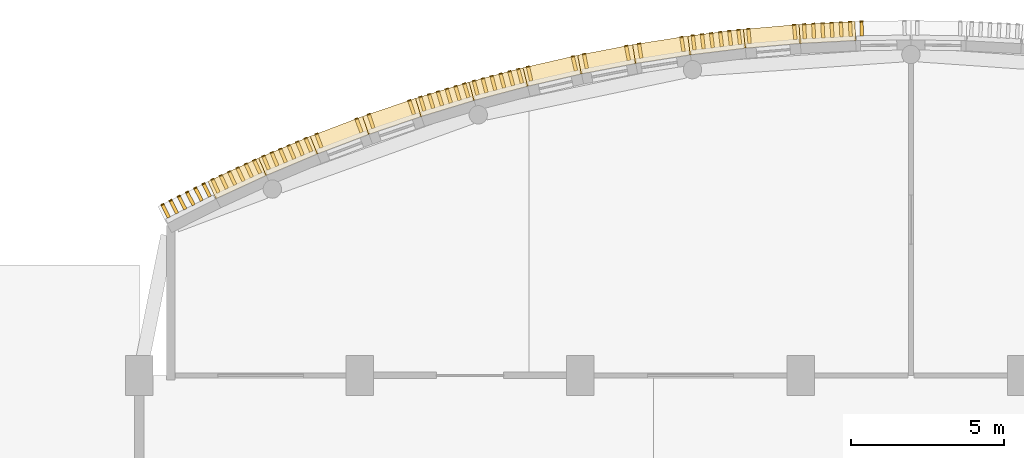
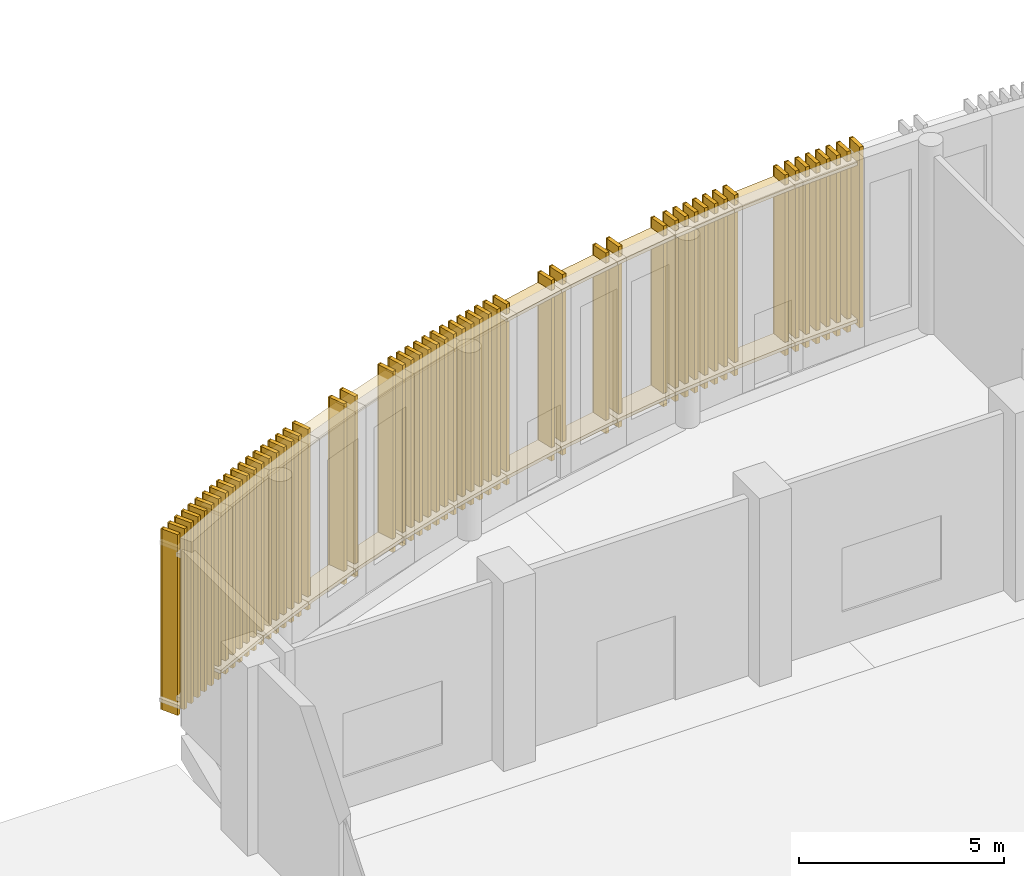
# One storey, part 76 of 85: 79 coverings, 55 shading devices.
"""IFC4 building model written with IfcOpenShell, lengths in metres."""

import ifcopenshell
import ifcopenshell.guid

model = None  # the IFC model being written
_history = None  # IfcOwnerHistory: only IFC2X3 demands one
_inside = {}  # id of a spatial element -> (the spatial element, [elements in it])
_under = {}  # id of a project, library or spatial element -> (it, [spatial elements below it])
_declared = {}  # id of a project -> (the project, [libraries it declares])
_typed = {}  # id of a type object -> (the type object, [elements of that type])
_made_of = {}  # id of a material, layer set ... -> (it, [elements and type objects made of it])


def new_model(schema):
    """Start an empty IFC model of exactly this schema.

    Asked for "IFC4X3", IfcOpenShell would pick the latest addendum, in which some entities
    have other attributes; the version numbers below select the first issue.
    IFC2X3 requires an IfcOwnerHistory on every rooted entity: one is made here for all.
    """
    global model, _history
    if schema == "IFC4X3":
        model = ifcopenshell.file(schema_version=(4, 3, 0, 0))
    else:
        model = ifcopenshell.file(schema=schema)
    _inside.clear()
    _under.clear()
    _declared.clear()
    _typed.clear()
    _made_of.clear()
    _history = None
    if model.schema == "IFC2X3":
        org = make("IfcOrganization", Name="unknown")
        user = make(
            "IfcPersonAndOrganization",
            ThePerson=make("IfcPerson", FamilyName="unknown"),
            TheOrganization=org,
        )
        app = make(
            "IfcApplication",
            ApplicationDeveloper=org,
            Version="unknown",
            ApplicationFullName="unknown",
            ApplicationIdentifier="unknown",
        )
        _history = make(
            "IfcOwnerHistory",
            OwningUser=user,
            OwningApplication=app,
            ChangeAction="ADDED",
            CreationDate=0,
        )
    return model


def make(cls, **values):
    """One entity of the class cls with the attributes given. An attribute that is None is left unset."""
    return model.create_entity(
        cls, **{name: value for name, value in values.items() if value is not None}
    )


def rooted(cls, **values):
    """An entity with a GlobalId (a new one), such as an element, a storey or a relation."""
    return make(cls, GlobalId=ifcopenshell.guid.new(), OwnerHistory=_history, **values)


def si_unit(unit_type, name, prefix=None):
    """IfcSIUnit, for example si_unit("LENGTHUNIT", "METRE", prefix="MILLI")."""
    return make("IfcSIUnit", UnitType=unit_type, Prefix=prefix, Name=name)


def assignment(units):
    """IfcUnitAssignment: the units of a project."""
    return None if units is None else make("IfcUnitAssignment", Units=units)


def point(xyz):
    """IfcCartesianPoint."""
    return None if xyz is None else make("IfcCartesianPoint", Coordinates=xyz)


def direction(xyz):
    """IfcDirection."""
    return None if xyz is None else make("IfcDirection", DirectionRatios=xyz)


def frame(location, z_axis=None, x_axis=None):
    """IfcAxis2Placement3D, a coordinate frame: its origin and axes. An axis left out is left unset."""
    return make(
        "IfcAxis2Placement3D",
        Location=point(location),
        Axis=direction(z_axis),
        RefDirection=direction(x_axis),
    )


def frame_2d(location, x_axis=None):
    """IfcAxis2Placement2D, a coordinate frame in the plane: its origin and x axis."""
    return make(
        "IfcAxis2Placement2D", Location=point(location), RefDirection=direction(x_axis)
    )


def origin():
    """The frame at (0, 0, 0) with its axes left unset."""
    return frame((0.0, 0.0, 0.0))


def origin_2d():
    """The frame at (0, 0) in the plane with its x axis left unset."""
    return frame_2d((0.0, 0.0))


def place(relative_to, where):
    """IfcLocalPlacement: puts the frame where relative to a parent placement (None: the world)."""
    return make(
        "IfcLocalPlacement", PlacementRelTo=relative_to, RelativePlacement=where
    )


def context(
    kind, dimensions, precision=None, world=None, true_north=None, identifier=None
):
    """IfcGeometricRepresentationContext, for example the 3D "Model" context."""
    return make(
        "IfcGeometricRepresentationContext",
        ContextIdentifier=identifier,
        ContextType=kind,
        CoordinateSpaceDimension=dimensions,
        Precision=precision,
        WorldCoordinateSystem=world,
        TrueNorth=true_north,
    )


def subcontext(parent, identifier, kind, view, scale=None):
    """IfcGeometricRepresentationSubContext, for example "Body" below "Model"."""
    return make(
        "IfcGeometricRepresentationSubContext",
        ContextIdentifier=identifier,
        ContextType=kind,
        ParentContext=parent,
        TargetScale=scale,
        TargetView=view,
    )


def project(units=None, contexts=None):
    """IfcProject with its units and contexts."""
    return rooted(
        "IfcProject",
        Name="project",
        RepresentationContexts=contexts,
        UnitsInContext=assignment(units),
    )


def spatial(cls, under=None, at=None, **own):
    """A site, building, storey or space (cls), placed at a placement, below another one or the project."""
    s = rooted(cls, ObjectPlacement=at, **own)
    if under is not None:
        _under.setdefault(under.id(), (under, []))[1].append(s)
    return s


def profile(cls, at=None, kind="AREA", **sizes):
    """A parametric profile (cls). Its sizes go by their IFC names, for example OverallWidth=200.0."""
    return make(cls, ProfileType=kind, Position=at, **sizes)


def rectangle(**sizes):
    """IfcRectangleProfileDef."""
    return profile("IfcRectangleProfileDef", **sizes)


def extrude(swept, where, along, depth):
    """IfcExtrudedAreaSolid: the profile swept, set in the frame where, extruded along a direction by depth."""
    return make(
        "IfcExtrudedAreaSolid",
        SweptArea=swept,
        Position=where,
        ExtrudedDirection=direction(along),
        Depth=depth,
    )


def shape(context_of_items, identifier, shape_type, items):
    """IfcShapeRepresentation: the items that make up one representation, for example the "Body"."""
    return make(
        "IfcShapeRepresentation",
        ContextOfItems=context_of_items,
        RepresentationIdentifier=identifier,
        RepresentationType=shape_type,
        Items=items,
    )


def material(Name=None, Category=None):
    """IfcMaterial."""
    return make("IfcMaterial", Name=Name, Category=Category)


def layer(
    of_material, thickness, ventilated=None, Name=None, Category=None, Priority=None
):
    """IfcMaterialLayer: one layer of a wall or slab, of a material (None: an air gap)."""
    return make(
        "IfcMaterialLayer",
        Material=of_material,
        LayerThickness=thickness,
        IsVentilated=ventilated,
        Name=Name,
        Category=Category,
        Priority=Priority,
    )


def layer_set(layers, Name=None):
    """IfcMaterialLayerSet."""
    return make("IfcMaterialLayerSet", MaterialLayers=layers, LayerSetName=Name)


def made_of(thing, what):
    """Note that an element or type object is made of a material, layer set ...; save() writes the relation."""
    if what is not None:
        _made_of.setdefault(what.id(), (what, []))[1].append(thing)
    return thing


def type_object(cls, material=None, **own):
    """A type object (cls), such as IfcWallType, which elements share."""
    return made_of(rooted(cls, **own), material)


def element(
    cls,
    number,
    at=None,
    inside=None,
    cuts=None,
    type_object=None,
    material=None,
    context=None,
    identifier="Body",
    shape_type=None,
    held_by="IfcProductDefinitionShape",
    body=None,
    shapes=None,
    **own,
):
    """One element of the class cls, such as IfcWall. Its Tag is "e" and its number.

    at: its placement. inside: the storey or other place that contains it. cuts: it is an
    opening in that element (IfcRelVoidsElement). A single representation is given by context,
    identifier, shape_type and body (its items); several are given by shapes. held_by: the class
    of the entity that holds the representations. save() writes the other relations.
    """
    e = rooted(cls, Tag="e%d" % number, ObjectPlacement=at, **own)
    if body is not None:
        shapes = [shape(context, identifier, shape_type, body)]
    if shapes is not None:
        e.Representation = make(held_by, Representations=shapes)
    if inside is not None:
        _inside.setdefault(inside.id(), (inside, []))[1].append(e)
    if cuts is not None:
        rooted(
            "IfcRelVoidsElement", RelatingBuildingElement=cuts, RelatedOpeningElement=e
        )
    if type_object is not None:
        _typed.setdefault(type_object.id(), (type_object, []))[1].append(e)
    return made_of(e, material)


def aggregate(whole, parts):
    """IfcRelAggregates: a whole, such as a stair, and the parts it consists of."""
    return rooted("IfcRelAggregates", RelatingObject=whole, RelatedObjects=parts)


def save(model, path):
    """Write the relations noted so far, then the file.

    IfcRelAggregates (storeys below a building ...), IfcRelContainedInSpatialStructure (elements
    in a storey), IfcRelDefinesByType, IfcRelAssociatesMaterial and IfcRelDeclares: one each for
    every whole, place, type object, material and project.
    """
    for whole, parts in _under.values():
        aggregate(whole, parts)
    for where, things in _inside.values():
        rooted(
            "IfcRelContainedInSpatialStructure",
            RelatedElements=things,
            RelatingStructure=where,
        )
    for kind, things in _typed.values():
        rooted("IfcRelDefinesByType", RelatedObjects=things, RelatingType=kind)
    for what, things in _made_of.values():
        rooted("IfcRelAssociatesMaterial", RelatedObjects=things, RelatingMaterial=what)
    for by, libraries in _declared.values():
        rooted("IfcRelDeclares", RelatingContext=by, RelatedDefinitions=libraries)
    model.write(path)


model = new_model("IFC4")

# Units and contexts
model_context = context("Model", 3, precision=1e-05, world=origin(), true_north=direction((0.0, 1.0)))
body_context = subcontext(model_context, "Body", "Model", "MODEL_VIEW")
ifc_project = project(units=[si_unit("LENGTHUNIT", "METRE"), si_unit("AREAUNIT", "SQUARE_METRE"), si_unit("VOLUMEUNIT", "CUBIC_METRE"), si_unit("PLANEANGLEUNIT", "RADIAN"), si_unit("MASSUNIT", "GRAM", prefix="KILO")], contexts=[model_context])

# Site, building, storey
site_placement = place(None, origin())
site = spatial("IfcSite", under=ifc_project, at=site_placement, CompositionType="ELEMENT")
building_placement = place(site_placement, origin())
building = spatial("IfcBuilding", under=site, at=building_placement, Name="Sardonyx Promenade Sports Hall", CompositionType="ELEMENT")
storey_placement = place(building_placement, origin())
storey = spatial("IfcBuildingStorey", under=building, at=storey_placement, Name="L00", CompositionType="ELEMENT", Elevation=0.0)

# Coverings
ifc_material_1 = material(Name="Glulam GL28h", Category="wood")
ifc_layer = layer(ifc_material_1, 0.110107421875)
ifc_layer_set = layer_set([ifc_layer], Name="Cov_Louvre_GL28h")
covering_type = type_object("IfcCoveringType", Name="Cov_Louvre_GL28h", PredefinedType="MOLDING", material=ifc_layer_set)
for number, where, z_axis, x_axis, name in (
    (1, (29.5517578125, 109.984619140625, 0.199951171875), (0.0, 0.0, 1.0), (0.892773817004, 0.450505173857, 0.0), "Timber louvre nose molding L00 CH01 #1"),
    (2, (29.819580078125, 110.119873046875, 0.199951171875), (0.0, 0.0, 1.0), (0.892773817004, 0.450505173857, 0.0), "Timber louvre nose molding L00 CH01 #2"),
    (3, (30.08740234375, 110.2548828125, 0.199951171875), (0.0, 0.0, 1.0), (0.892773817004, 0.450505173857, 0.0), "Timber louvre nose molding L00 CH01 #3"),
    (4, (30.355224609375, 110.39013671875, 0.199951171875), (0.0, 0.0, 1.0), (0.892773817004, 0.450505173857, 0.0), "Timber louvre nose molding L00 CH01 #4"),
    (5, (30.623046875, 110.525390625, 0.199951171875), (0.0, 0.0, 1.0), (0.892773817004, 0.450505173857, 0.0), "Timber louvre nose molding L00 CH01 #5"),
    (6, (30.890869140625, 110.660400390625, 0.199951171875), (0.0, 0.0, 1.0), (0.892773817004, 0.450505173857, 0.0), "Timber louvre nose molding L00 CH01 #6"),
):
    element("IfcCovering", number, at=place(storey_placement, frame(where, z_axis=z_axis, x_axis=x_axis)), inside=storey, type_object=covering_type, Name=name, PredefinedType="MOLDING", context=body_context, shape_type="SweptSolid", body=[
        extrude(rectangle(XDim=0.110107421875, YDim=0.0400390625, at=origin_2d()), origin(), (0.0, 0.0, 1.0), 5.3798828125),
    ])
for number, where, z_axis, x_axis, name in (
    (7, (31.99658203125, 110.8359375, 0.5), (0.0, 0.0, 1.0), (0.90783091315, 0.419336419989, 0.0), "Bowed louvre carrier rail L00 CH02 #1"),
    (8, (31.99658203125, 110.8359375, 5.179931640625), (0.0, 0.0, 1.0), (0.90783091315, 0.419336419989, 0.0), "Bowed louvre carrier rail L00 CH02 #2"),
):
    element("IfcCovering", number, at=place(storey_placement, frame(where, z_axis=z_axis, x_axis=x_axis)), inside=storey, type_object=covering_type, Name=name, PredefinedType="MOLDING", context=body_context, shape_type="SweptSolid", body=[
        extrude(rectangle(XDim=1.820068359375, YDim=0.6201171875, at=origin_2d()), origin(), (0.0, 0.0, 1.0), 0.10009765625),
    ])
for number, where, z_axis, x_axis, name in (
    (9, (31.185546875, 110.802734375, 0.199951171875), (0.0, 0.0, 1.0), (0.90783091315, 0.419336419989, 0.0), "Timber louvre nose molding L00 CH02 #1"),
    (10, (31.4580078125, 110.9287109375, 0.199951171875), (0.0, 0.0, 1.0), (0.90783091315, 0.419336419989, 0.0), "Timber louvre nose molding L00 CH02 #2"),
    (11, (31.730224609375, 111.054443359375, 0.199951171875), (0.0, 0.0, 1.0), (0.90783091315, 0.419336419989, 0.0), "Timber louvre nose molding L00 CH02 #3"),
    (12, (32.002685546875, 111.18017578125, 0.199951171875), (0.0, 0.0, 1.0), (0.90783091315, 0.419336419989, 0.0), "Timber louvre nose molding L00 CH02 #4"),
    (13, (32.275146484375, 111.30615234375, 0.199951171875), (0.0, 0.0, 1.0), (0.90783091315, 0.419336419989, 0.0), "Timber louvre nose molding L00 CH02 #5"),
    (14, (32.54736328125, 111.431884765625, 0.199951171875), (0.0, 0.0, 1.0), (0.90783091315, 0.419336419989, 0.0), "Timber louvre nose molding L00 CH02 #6"),
):
    element("IfcCovering", number, at=place(storey_placement, frame(where, z_axis=z_axis, x_axis=x_axis)), inside=storey, type_object=covering_type, Name=name, PredefinedType="MOLDING", context=body_context, shape_type="SweptSolid", body=[
        extrude(rectangle(XDim=0.110107421875, YDim=0.0400390625, at=origin_2d()), origin(), (0.0, 0.0, 1.0), 5.3798828125),
    ])
for number, where, z_axis, x_axis, name in (
    (15, (33.658447265625, 111.56884765625, 0.5), (0.0, 0.0, 1.0), (0.921800239612, 0.387665214136, 0.0), "Bowed louvre carrier rail L00 CH03 #1"),
    (16, (33.658447265625, 111.56884765625, 5.179931640625), (0.0, 0.0, 1.0), (0.921800239612, 0.387665214136, 0.0), "Bowed louvre carrier rail L00 CH03 #2"),
):
    element("IfcCovering", number, at=place(storey_placement, frame(where, z_axis=z_axis, x_axis=x_axis)), inside=storey, type_object=covering_type, Name=name, PredefinedType="MOLDING", context=body_context, shape_type="SweptSolid", body=[
        extrude(rectangle(XDim=1.820068359375, YDim=0.6201171875, at=origin_2d()), origin(), (0.0, 0.0, 1.0), 0.10009765625),
    ])
for number, where, z_axis, x_axis, name in (
    (17, (32.846923828125, 111.56396484375, 0.199951171875), (0.0, 0.0, 1.0), (0.921800239612, 0.387665214136, 0.0), "Timber louvre nose molding L00 CH03 #1"),
    (18, (33.123291015625, 111.68017578125, 0.199951171875), (0.0, 0.0, 1.0), (0.921800239612, 0.387665214136, 0.0), "Timber louvre nose molding L00 CH03 #2"),
    (19, (33.39990234375, 111.796630859375, 0.199951171875), (0.0, 0.0, 1.0), (0.921800239612, 0.387665214136, 0.0), "Timber louvre nose molding L00 CH03 #3"),
    (20, (33.676513671875, 111.912841796875, 0.199951171875), (0.0, 0.0, 1.0), (0.921800239612, 0.387665214136, 0.0), "Timber louvre nose molding L00 CH03 #4"),
    (21, (33.953125, 112.029052734375, 0.199951171875), (0.0, 0.0, 1.0), (0.921800239612, 0.387665214136, 0.0), "Timber louvre nose molding L00 CH03 #5"),
    (22, (34.2294921875, 112.1455078125, 0.199951171875), (0.0, 0.0, 1.0), (0.921800239612, 0.387665214136, 0.0), "Timber louvre nose molding L00 CH03 #6"),
):
    element("IfcCovering", number, at=place(storey_placement, frame(where, z_axis=z_axis, x_axis=x_axis)), inside=storey, type_object=covering_type, Name=name, PredefinedType="MOLDING", context=body_context, shape_type="SweptSolid", body=[
        extrude(rectangle(XDim=0.110107421875, YDim=0.0400390625, at=origin_2d()), origin(), (0.0, 0.0, 1.0), 5.3798828125),
    ])
for number, where, z_axis, x_axis, name in (
    (23, (35.3447265625, 112.243896484375, 0.5), (0.0, 0.0, 1.0), (0.934665678755, 0.355527873671, 0.0), "Bowed louvre carrier rail L00 CH04 #1"),
    (24, (35.3447265625, 112.243896484375, 5.179931640625), (0.0, 0.0, 1.0), (0.934665678755, 0.355527873671, 0.0), "Bowed louvre carrier rail L00 CH04 #2"),
):
    element("IfcCovering", number, at=place(storey_placement, frame(where, z_axis=z_axis, x_axis=x_axis)), inside=storey, type_object=covering_type, Name=name, PredefinedType="MOLDING", context=body_context, shape_type="SweptSolid", body=[
        extrude(rectangle(XDim=1.820068359375, YDim=0.6201171875, at=origin_2d()), origin(), (0.0, 0.0, 1.0), 0.10009765625),
    ])
for number, where, z_axis, x_axis, name in (
    (25, (34.580078125, 112.284912109375, 0.199951171875), (0.0, 0.0, 1.0), (0.934665678755, 0.355527873671, 0.0), "Timber louvre nose molding L00 CH04 #1"),
    (26, (35.888671875, 112.782470703125, 0.199951171875), (0.0, 0.0, 1.0), (0.934665678755, 0.355527873671, 0.0), "Timber louvre nose molding L00 CH04 #2"),
):
    element("IfcCovering", number, at=place(storey_placement, frame(where, z_axis=z_axis, x_axis=x_axis)), inside=storey, type_object=covering_type, Name=name, PredefinedType="MOLDING", context=body_context, shape_type="SweptSolid", body=[
        extrude(rectangle(XDim=0.110107421875, YDim=0.0400390625, at=origin_2d()), origin(), (0.0, 0.0, 1.0), 5.3798828125),
    ])
for number, where, z_axis, x_axis, name in (
    (27, (37.05322265625, 112.8603515625, 0.5), (0.0, 0.0, 1.0), (0.946410517999, 0.322966145935, 0.0), "Bowed louvre carrier rail L00 CH05 #1"),
    (28, (37.05322265625, 112.8603515625, 5.179931640625), (0.0, 0.0, 1.0), (0.946410517999, 0.322966145935, 0.0), "Bowed louvre carrier rail L00 CH05 #2"),
):
    element("IfcCovering", number, at=place(storey_placement, frame(where, z_axis=z_axis, x_axis=x_axis)), inside=storey, type_object=covering_type, Name=name, PredefinedType="MOLDING", context=body_context, shape_type="SweptSolid", body=[
        extrude(rectangle(XDim=1.820068359375, YDim=0.6201171875, at=origin_2d()), origin(), (0.0, 0.0, 1.0), 0.10009765625),
    ])
for number, where, z_axis, x_axis, name in (
    (29, (36.29052734375, 112.927490234375, 0.199951171875), (0.0, 0.0, 1.0), (0.946410517999, 0.322966145935, 0.0), "Timber louvre nose molding L00 CH05 #1"),
    (30, (37.615478515625, 113.379638671875, 0.199951171875), (0.0, 0.0, 1.0), (0.946410517999, 0.322966145935, 0.0), "Timber louvre nose molding L00 CH05 #2"),
):
    element("IfcCovering", number, at=place(storey_placement, frame(where, z_axis=z_axis, x_axis=x_axis)), inside=storey, type_object=covering_type, Name=name, PredefinedType="MOLDING", context=body_context, shape_type="SweptSolid", body=[
        extrude(rectangle(XDim=0.110107421875, YDim=0.0400390625, at=origin_2d()), origin(), (0.0, 0.0, 1.0), 5.3798828125),
    ])
for number, where, z_axis, x_axis, name in (
    (31, (38.7822265625, 113.4169921875, 0.5), (0.0, 0.0, 1.0), (0.957021361193, 0.290017437786, 0.0), "Bowed louvre carrier rail L00 CH06 #1"),
    (32, (38.7822265625, 113.4169921875, 5.179931640625), (0.0, 0.0, 1.0), (0.957021361193, 0.290017437786, 0.0), "Bowed louvre carrier rail L00 CH06 #2"),
):
    element("IfcCovering", number, at=place(storey_placement, frame(where, z_axis=z_axis, x_axis=x_axis)), inside=storey, type_object=covering_type, Name=name, PredefinedType="MOLDING", context=body_context, shape_type="SweptSolid", body=[
        extrude(rectangle(XDim=1.820068359375, YDim=0.6201171875, at=origin_2d()), origin(), (0.0, 0.0, 1.0), 0.10009765625),
    ])
for number, where, z_axis, x_axis, name in (
    (33, (37.974365234375, 113.49609375, 0.199951171875), (0.0, 0.0, 1.0), (0.957021361193, 0.290017437786, 0.0), "Timber louvre nose molding L00 CH06 #1"),
    (34, (38.261474609375, 113.583251953125, 0.199951171875), (0.0, 0.0, 1.0), (0.957021361193, 0.290017437786, 0.0), "Timber louvre nose molding L00 CH06 #2"),
    (35, (38.548583984375, 113.670166015625, 0.199951171875), (0.0, 0.0, 1.0), (0.957021361193, 0.290017437786, 0.0), "Timber louvre nose molding L00 CH06 #3"),
    (36, (38.835693359375, 113.757080078125, 0.199951171875), (0.0, 0.0, 1.0), (0.957021361193, 0.290017437786, 0.0), "Timber louvre nose molding L00 CH06 #4"),
    (37, (39.122802734375, 113.84423828125, 0.199951171875), (0.0, 0.0, 1.0), (0.957021361193, 0.290017437786, 0.0), "Timber louvre nose molding L00 CH06 #5"),
    (38, (39.409912109375, 113.93115234375, 0.199951171875), (0.0, 0.0, 1.0), (0.957021361193, 0.290017437786, 0.0), "Timber louvre nose molding L00 CH06 #6"),
):
    element("IfcCovering", number, at=place(storey_placement, frame(where, z_axis=z_axis, x_axis=x_axis)), inside=storey, type_object=covering_type, Name=name, PredefinedType="MOLDING", context=body_context, shape_type="SweptSolid", body=[
        extrude(rectangle(XDim=0.110107421875, YDim=0.0400390625, at=origin_2d()), origin(), (0.0, 0.0, 1.0), 5.3798828125),
    ])
for number, where, z_axis, x_axis, name in (
    (39, (40.529296875, 113.91357421875, 0.5), (0.0, 0.0, 1.0), (0.966485494347, 0.256721228607, 0.0), "Bowed louvre carrier rail L00 CH07 #1"),
    (40, (40.529296875, 113.91357421875, 5.179931640625), (0.0, 0.0, 1.0), (0.966485494347, 0.256721228607, 0.0), "Bowed louvre carrier rail L00 CH07 #2"),
):
    element("IfcCovering", number, at=place(storey_placement, frame(where, z_axis=z_axis, x_axis=x_axis)), inside=storey, type_object=covering_type, Name=name, PredefinedType="MOLDING", context=body_context, shape_type="SweptSolid", body=[
        extrude(rectangle(XDim=1.820068359375, YDim=0.6201171875, at=origin_2d()), origin(), (0.0, 0.0, 1.0), 0.10009765625),
    ])
for number, where, z_axis, x_axis, name in (
    (41, (39.724853515625, 114.020751953125, 0.199951171875), (0.0, 0.0, 1.0), (0.966485494347, 0.256721228607, 0.0), "Timber louvre nose molding L00 CH07 #1"),
    (42, (40.0146484375, 114.09765625, 0.199951171875), (0.0, 0.0, 1.0), (0.966485494347, 0.256721228607, 0.0), "Timber louvre nose molding L00 CH07 #2"),
    (43, (40.3046875, 114.1748046875, 0.199951171875), (0.0, 0.0, 1.0), (0.966485494347, 0.256721228607, 0.0), "Timber louvre nose molding L00 CH07 #3"),
    (44, (40.5947265625, 114.251708984375, 0.199951171875), (0.0, 0.0, 1.0), (0.966485494347, 0.256721228607, 0.0), "Timber louvre nose molding L00 CH07 #4"),
    (45, (40.884521484375, 114.328857421875, 0.199951171875), (0.0, 0.0, 1.0), (0.966485494347, 0.256721228607, 0.0), "Timber louvre nose molding L00 CH07 #5"),
    (46, (41.174560546875, 114.40576171875, 0.199951171875), (0.0, 0.0, 1.0), (0.966485494347, 0.256721228607, 0.0), "Timber louvre nose molding L00 CH07 #6"),
):
    element("IfcCovering", number, at=place(storey_placement, frame(where, z_axis=z_axis, x_axis=x_axis)), inside=storey, type_object=covering_type, Name=name, PredefinedType="MOLDING", context=body_context, shape_type="SweptSolid", body=[
        extrude(rectangle(XDim=0.110107421875, YDim=0.0400390625, at=origin_2d()), origin(), (0.0, 0.0, 1.0), 5.3798828125),
    ])
for number, where, z_axis, x_axis, name in (
    (47, (42.29248046875, 114.349365234375, 0.5), (0.0, 0.0, 1.0), (0.974791577465, 0.223117414163, 0.0), "Bowed louvre carrier rail L00 CH08 #1"),
    (48, (42.29248046875, 114.349365234375, 5.179931640625), (0.0, 0.0, 1.0), (0.974791577465, 0.223117414163, 0.0), "Bowed louvre carrier rail L00 CH08 #2"),
):
    element("IfcCovering", number, at=place(storey_placement, frame(where, z_axis=z_axis, x_axis=x_axis)), inside=storey, type_object=covering_type, Name=name, PredefinedType="MOLDING", context=body_context, shape_type="SweptSolid", body=[
        extrude(rectangle(XDim=1.820068359375, YDim=0.6201171875, at=origin_2d()), origin(), (0.0, 0.0, 1.0), 0.10009765625),
    ])
for number, where, z_axis, x_axis, name in (
    (49, (41.4921875, 114.484375, 0.199951171875), (0.0, 0.0, 1.0), (0.974791577465, 0.223117414163, 0.0), "Timber louvre nose molding L00 CH08 #1"),
    (50, (42.95458984375, 114.819091796875, 0.199951171875), (0.0, 0.0, 1.0), (0.974791577465, 0.223117414163, 0.0), "Timber louvre nose molding L00 CH08 #6"),
):
    element("IfcCovering", number, at=place(storey_placement, frame(where, z_axis=z_axis, x_axis=x_axis)), inside=storey, type_object=covering_type, Name=name, PredefinedType="MOLDING", context=body_context, shape_type="SweptSolid", body=[
        extrude(rectangle(XDim=0.110107421875, YDim=0.0400390625, at=origin_2d()), origin(), (0.0, 0.0, 1.0), 5.3798828125),
    ])
for number, where, z_axis, x_axis, name in (
    (51, (44.06982421875, 114.72412109375, 0.5), (0.0, 0.0, 1.0), (0.981929658139, 0.18924625879, 0.0), "Bowed louvre carrier rail L00 CH09 #1"),
    (52, (44.06982421875, 114.72412109375, 5.179931640625), (0.0, 0.0, 1.0), (0.981929658139, 0.18924625879, 0.0), "Bowed louvre carrier rail L00 CH09 #2"),
):
    element("IfcCovering", number, at=place(storey_placement, frame(where, z_axis=z_axis, x_axis=x_axis)), inside=storey, type_object=covering_type, Name=name, PredefinedType="MOLDING", context=body_context, shape_type="SweptSolid", body=[
        extrude(rectangle(XDim=1.820068359375, YDim=0.6201171875, at=origin_2d()), origin(), (0.0, 0.0, 1.0), 0.10009765625),
    ])
for number, where, z_axis, x_axis, name in (
    (53, (43.32373046875, 114.89599609375, 0.199951171875), (0.0, 0.0, 1.0), (0.981929658139, 0.18924625879, 0.0), "Timber louvre nose molding L00 CH09 #1"),
    (54, (44.698486328125, 115.160888671875, 0.199951171875), (0.0, 0.0, 1.0), (0.981929658139, 0.18924625879, 0.0), "Timber louvre nose molding L00 CH09 #2"),
):
    element("IfcCovering", number, at=place(storey_placement, frame(where, z_axis=z_axis, x_axis=x_axis)), inside=storey, type_object=covering_type, Name=name, PredefinedType="MOLDING", context=body_context, shape_type="SweptSolid", body=[
        extrude(rectangle(XDim=0.110107421875, YDim=0.0400390625, at=origin_2d()), origin(), (0.0, 0.0, 1.0), 5.3798828125),
    ])
for number, where, z_axis, x_axis, name in (
    (55, (45.859130859375, 115.036865234375, 0.5), (0.0, 0.0, 1.0), (0.987891183468, 0.155148347157, 0.0), "Bowed louvre carrier rail L00 CH10 #1"),
    (56, (45.859130859375, 115.036865234375, 5.179931640625), (0.0, 0.0, 1.0), (0.987891183468, 0.155148347157, 0.0), "Bowed louvre carrier rail L00 CH10 #2"),
):
    element("IfcCovering", number, at=place(storey_placement, frame(where, z_axis=z_axis, x_axis=x_axis)), inside=storey, type_object=covering_type, Name=name, PredefinedType="MOLDING", context=body_context, shape_type="SweptSolid", body=[
        extrude(rectangle(XDim=1.820068359375, YDim=0.6201171875, at=origin_2d()), origin(), (0.0, 0.0, 1.0), 0.10009765625),
    ])
for number, where, z_axis, x_axis, name in (
    (57, (45.119384765625, 115.234375, 0.199951171875), (0.0, 0.0, 1.0), (0.987891183468, 0.155148347157, 0.0), "Timber louvre nose molding L00 CH10 #1"),
    (58, (46.50244140625, 115.45166015625, 0.199951171875), (0.0, 0.0, 1.0), (0.987891183468, 0.155148347157, 0.0), "Timber louvre nose molding L00 CH10 #2"),
):
    element("IfcCovering", number, at=place(storey_placement, frame(where, z_axis=z_axis, x_axis=x_axis)), inside=storey, type_object=covering_type, Name=name, PredefinedType="MOLDING", context=body_context, shape_type="SweptSolid", body=[
        extrude(rectangle(XDim=0.110107421875, YDim=0.0400390625, at=origin_2d()), origin(), (0.0, 0.0, 1.0), 5.3798828125),
    ])
for number, where, z_axis, x_axis, name in (
    (59, (47.657958984375, 115.28759765625, 0.5), (0.0, 0.0, 1.0), (0.992669221255, 0.120862803098, 0.0), "Bowed louvre carrier rail L00 CH11 #1"),
    (60, (47.657958984375, 115.28759765625, 5.179931640625), (0.0, 0.0, 1.0), (0.992669221255, 0.120862803098, 0.0), "Bowed louvre carrier rail L00 CH11 #2"),
):
    element("IfcCovering", number, at=place(storey_placement, frame(where, z_axis=z_axis, x_axis=x_axis)), inside=storey, type_object=covering_type, Name=name, PredefinedType="MOLDING", context=body_context, shape_type="SweptSolid", body=[
        extrude(rectangle(XDim=1.820068359375, YDim=0.6201171875, at=origin_2d()), origin(), (0.0, 0.0, 1.0), 0.10009765625),
    ])
for number, where, z_axis, x_axis, name in (
    (61, (46.8759765625, 115.504638671875, 0.199951171875), (0.0, 0.0, 1.0), (0.992669221255, 0.120862803098, 0.0), "Timber louvre nose molding L00 CH11 #1"),
    (62, (47.173828125, 115.540771484375, 0.199951171875), (0.0, 0.0, 1.0), (0.992669221255, 0.120862803098, 0.0), "Timber louvre nose molding L00 CH11 #2"),
    (63, (47.4716796875, 115.5771484375, 0.199951171875), (0.0, 0.0, 1.0), (0.992669221255, 0.120862803098, 0.0), "Timber louvre nose molding L00 CH11 #3"),
    (64, (47.76953125, 115.61328125, 0.199951171875), (0.0, 0.0, 1.0), (0.992669221255, 0.120862803098, 0.0), "Timber louvre nose molding L00 CH11 #4"),
    (65, (48.067138671875, 115.649658203125, 0.199951171875), (0.0, 0.0, 1.0), (0.992669221255, 0.120862803098, 0.0), "Timber louvre nose molding L00 CH11 #5"),
    (66, (48.364990234375, 115.68603515625, 0.199951171875), (0.0, 0.0, 1.0), (0.992669221255, 0.120862803098, 0.0), "Timber louvre nose molding L00 CH11 #6"),
):
    element("IfcCovering", number, at=place(storey_placement, frame(where, z_axis=z_axis, x_axis=x_axis)), inside=storey, type_object=covering_type, Name=name, PredefinedType="MOLDING", context=body_context, shape_type="SweptSolid", body=[
        extrude(rectangle(XDim=0.110107421875, YDim=0.0400390625, at=origin_2d()), origin(), (0.0, 0.0, 1.0), 5.3798828125),
    ])
for number, where, z_axis, x_axis, name in (
    (67, (49.464599609375, 115.475830078125, 0.5), (0.0, 0.0, 1.0), (0.99625756469, 0.086434164533, 0.0), "Bowed louvre carrier rail L00 CH12 #1"),
    (68, (49.464599609375, 115.475830078125, 5.179931640625), (0.0, 0.0, 1.0), (0.99625756469, 0.086434164533, 0.0), "Bowed louvre carrier rail L00 CH12 #2"),
):
    element("IfcCovering", number, at=place(storey_placement, frame(where, z_axis=z_axis, x_axis=x_axis)), inside=storey, type_object=covering_type, Name=name, PredefinedType="MOLDING", context=body_context, shape_type="SweptSolid", body=[
        extrude(rectangle(XDim=1.820068359375, YDim=0.6201171875, at=origin_2d()), origin(), (0.0, 0.0, 1.0), 0.10009765625),
    ])
for number, where, z_axis, x_axis, name in (
    (69, (48.690673828125, 115.7197265625, 0.199951171875), (0.0, 0.0, 1.0), (0.99625756469, 0.086434164533, 0.0), "Timber louvre nose molding L00 CH12 #1"),
    (70, (50.18505859375, 115.849609375, 0.199951171875), (0.0, 0.0, 1.0), (0.99625756469, 0.086434164533, 0.0), "Timber louvre nose molding L00 CH12 #6"),
):
    element("IfcCovering", number, at=place(storey_placement, frame(where, z_axis=z_axis, x_axis=x_axis)), inside=storey, type_object=covering_type, Name=name, PredefinedType="MOLDING", context=body_context, shape_type="SweptSolid", body=[
        extrude(rectangle(XDim=0.110107421875, YDim=0.0400390625, at=origin_2d()), origin(), (0.0, 0.0, 1.0), 5.3798828125),
    ])
for number, where, z_axis, x_axis, name in (
    (71, (51.276611328125, 115.6015625, 0.5), (0.0, 0.0, 1.0), (0.998652184976, 0.051901959917, 0.0), "Bowed louvre carrier rail L00 CH13 #1"),
    (72, (51.276611328125, 115.6015625, 5.179931640625), (0.0, 0.0, 1.0), (0.998652184976, 0.051901959917, 0.0), "Bowed louvre carrier rail L00 CH13 #2"),
):
    element("IfcCovering", number, at=place(storey_placement, frame(where, z_axis=z_axis, x_axis=x_axis)), inside=storey, type_object=covering_type, Name=name, PredefinedType="MOLDING", context=body_context, shape_type="SweptSolid", body=[
        extrude(rectangle(XDim=1.820068359375, YDim=0.6201171875, at=origin_2d()), origin(), (0.0, 0.0, 1.0), 0.10009765625),
    ])
for number, where, z_axis, x_axis, name in (
    (73, (50.511474609375, 115.8720703125, 0.199951171875), (0.0, 0.0, 1.0), (0.998652184976, 0.051901959917, 0.0), "Timber louvre nose molding L00 CH13 #1"),
    (74, (50.81103515625, 115.8876953125, 0.199951171875), (0.0, 0.0, 1.0), (0.998652184976, 0.051901959917, 0.0), "Timber louvre nose molding L00 CH13 #2"),
    (75, (51.110595703125, 115.9033203125, 0.199951171875), (0.0, 0.0, 1.0), (0.998652184976, 0.051901959917, 0.0), "Timber louvre nose molding L00 CH13 #3"),
    (76, (51.41015625, 115.9189453125, 0.199951171875), (0.0, 0.0, 1.0), (0.998652184976, 0.051901959917, 0.0), "Timber louvre nose molding L00 CH13 #4"),
    (77, (51.7099609375, 115.934326171875, 0.199951171875), (0.0, 0.0, 1.0), (0.998652184976, 0.051901959917, 0.0), "Timber louvre nose molding L00 CH13 #5"),
    (78, (52.009521484375, 115.949951171875, 0.199951171875), (0.0, 0.0, 1.0), (0.998652184976, 0.051901959917, 0.0), "Timber louvre nose molding L00 CH13 #6"),
    (79, (52.386474609375, 115.962158203125, 0.199951171875), (0.0, 0.0, 1.0), (0.999850212862, 0.01730756599, 0.0), "Timber louvre nose molding L00 CH14 #1"),
):
    element("IfcCovering", number, at=place(storey_placement, frame(where, z_axis=z_axis, x_axis=x_axis)), inside=storey, type_object=covering_type, Name=name, PredefinedType="MOLDING", context=body_context, shape_type="SweptSolid", body=[
        extrude(rectangle(XDim=0.110107421875, YDim=0.0400390625, at=origin_2d()), origin(), (0.0, 0.0, 1.0), 5.3798828125),
    ])

# Shading devices
ifc_material_2 = material(Name="Glulam GL28h", Category="wood")
shading_device_type_1 = type_object("IfcShadingDeviceType", Name="Shade_Fin_GL28h", PredefinedType="USERDEFINED", material=ifc_material_2)
for number, where, z_axis, x_axis, name in (
    (80, (34.669025, 112.051168, 0.2), (0.0, 0.0, 1.0), (0.93466568, 0.35552787, 0.0), "Timber fin TF01 L00 CH04 #1"),
    (81, (35.977557, 112.548908, 0.2), (0.0, 0.0, 1.0), (0.93466568, 0.35552787, 0.0), "Timber fin TF01 L00 CH04 #2"),
    (82, (36.371355, 112.690949, 0.2), (0.0, 0.0, 1.0), (0.94641052, 0.32296615, 0.0), "Timber fin TF01 L00 CH05 #1"),
    (83, (37.696329, 113.143102, 0.2), (0.0, 0.0, 1.0), (0.94641052, 0.32296615, 0.0), "Timber fin TF01 L00 CH05 #2"),
    (84, (43.371143, 114.650467, 0.2), (0.0, 0.0, 1.0), (0.98192966, 0.18924626, 0.0), "Timber fin TF01 L00 CH09 #1"),
    (85, (44.745845, 114.915412, 0.2), (0.0, 0.0, 1.0), (0.98192966, 0.18924626, 0.0), "Timber fin TF01 L00 CH09 #2"),
    (86, (45.158221, 114.98751, 0.2), (0.0, 0.0, 1.0), (0.98789118, 0.15514835, 0.0), "Timber fin TF01 L00 CH10 #1"),
    (87, (46.541269, 115.204717, 0.2), (0.0, 0.0, 1.0), (0.98789118, 0.15514835, 0.0), "Timber fin TF01 L00 CH10 #2"),
    (88, (52.390894, 115.712227, 0.2), (0.0, 0.0, 1.0), (0.99985021, 0.01730757, 0.0), "Timber fin TF01 L00 CH14 #1"),
):
    element("IfcShadingDevice", number, at=place(storey_placement, frame(where, z_axis=z_axis, x_axis=x_axis)), inside=storey, type_object=shading_device_type_1, material=ifc_material_2, Name=name, ObjectType="FIN", PredefinedType="USERDEFINED", context=body_context, shape_type="SweptSolid", body=[
        extrude(rectangle(XDim=0.11, YDim=0.46), origin(), (0.0, 0.0, 1.0), 5.38),
    ])
shading_device_type_2 = type_object("IfcShadingDeviceType", Name="Shade_Louvre_GL28h", PredefinedType="USERDEFINED", material=ifc_material_2)
for number, where, z_axis, x_axis, name in (
    (89, (29.66439, 109.761506, 0.2), (0.0, 0.0, 1.0), (0.89277382, 0.45050517, 0.0), "Timber louvre TL01 L00 CH01 #1"),
    (90, (29.932223, 109.896657, 0.2), (0.0, 0.0, 1.0), (0.89277382, 0.45050517, 0.0), "Timber louvre TL01 L00 CH01 #2"),
    (91, (30.200055, 110.031809, 0.2), (0.0, 0.0, 1.0), (0.89277382, 0.45050517, 0.0), "Timber louvre TL01 L00 CH01 #3"),
    (92, (30.467887, 110.16696, 0.2), (0.0, 0.0, 1.0), (0.89277382, 0.45050517, 0.0), "Timber louvre TL01 L00 CH01 #4"),
    (93, (30.735719, 110.302112, 0.2), (0.0, 0.0, 1.0), (0.89277382, 0.45050517, 0.0), "Timber louvre TL01 L00 CH01 #5"),
    (94, (31.003551, 110.437263, 0.2), (0.0, 0.0, 1.0), (0.89277382, 0.45050517, 0.0), "Timber louvre TL01 L00 CH01 #6"),
    (95, (31.290473, 110.57587, 0.2), (0.0, 0.0, 1.0), (0.90783091, 0.41933642, 0.0), "Timber louvre TL01 L00 CH02 #1"),
    (96, (31.562822, 110.701671, 0.2), (0.0, 0.0, 1.0), (0.90783091, 0.41933642, 0.0), "Timber louvre TL01 L00 CH02 #2"),
    (97, (31.835172, 110.827472, 0.2), (0.0, 0.0, 1.0), (0.90783091, 0.41933642, 0.0), "Timber louvre TL01 L00 CH02 #3"),
    (98, (32.107521, 110.953273, 0.2), (0.0, 0.0, 1.0), (0.90783091, 0.41933642, 0.0), "Timber louvre TL01 L00 CH02 #4"),
    (99, (32.37987, 111.079073, 0.2), (0.0, 0.0, 1.0), (0.90783091, 0.41933642, 0.0), "Timber louvre TL01 L00 CH02 #5"),
    (100, (32.65222, 111.204874, 0.2), (0.0, 0.0, 1.0), (0.90783091, 0.41933642, 0.0), "Timber louvre TL01 L00 CH02 #6"),
    (101, (32.943767, 111.333468, 0.2), (0.0, 0.0, 1.0), (0.92180024, 0.38766521, 0.0), "Timber louvre TL01 L00 CH03 #1"),
    (102, (33.220307, 111.449767, 0.2), (0.0, 0.0, 1.0), (0.92180024, 0.38766521, 0.0), "Timber louvre TL01 L00 CH03 #2"),
    (103, (33.496847, 111.566067, 0.2), (0.0, 0.0, 1.0), (0.92180024, 0.38766521, 0.0), "Timber louvre TL01 L00 CH03 #3"),
    (104, (33.773387, 111.682366, 0.2), (0.0, 0.0, 1.0), (0.92180024, 0.38766521, 0.0), "Timber louvre TL01 L00 CH03 #4"),
    (105, (34.049927, 111.798666, 0.2), (0.0, 0.0, 1.0), (0.92180024, 0.38766521, 0.0), "Timber louvre TL01 L00 CH03 #5"),
    (106, (34.326468, 111.914965, 0.2), (0.0, 0.0, 1.0), (0.92180024, 0.38766521, 0.0), "Timber louvre TL01 L00 CH03 #6"),
    (107, (38.046957, 113.256928, 0.2), (0.0, 0.0, 1.0), (0.95702136, 0.29001744, 0.0), "Timber louvre TL01 L00 CH06 #1"),
    (108, (38.334063, 113.343933, 0.2), (0.0, 0.0, 1.0), (0.95702136, 0.29001744, 0.0), "Timber louvre TL01 L00 CH06 #2"),
    (109, (38.621169, 113.430939, 0.2), (0.0, 0.0, 1.0), (0.95702136, 0.29001744, 0.0), "Timber louvre TL01 L00 CH06 #3"),
    (110, (38.908276, 113.517944, 0.2), (0.0, 0.0, 1.0), (0.95702136, 0.29001744, 0.0), "Timber louvre TL01 L00 CH06 #4"),
    (111, (39.195382, 113.60495, 0.2), (0.0, 0.0, 1.0), (0.95702136, 0.29001744, 0.0), "Timber louvre TL01 L00 CH06 #5"),
    (112, (39.482488, 113.691955, 0.2), (0.0, 0.0, 1.0), (0.95702136, 0.29001744, 0.0), "Timber louvre TL01 L00 CH06 #6"),
    (113, (39.788994, 113.779076, 0.2), (0.0, 0.0, 1.0), (0.96648549, 0.25672123, 0.0), "Timber louvre TL01 L00 CH07 #1"),
    (114, (40.07894, 113.856093, 0.2), (0.0, 0.0, 1.0), (0.96648549, 0.25672123, 0.0), "Timber louvre TL01 L00 CH07 #2"),
    (115, (40.368885, 113.933109, 0.2), (0.0, 0.0, 1.0), (0.96648549, 0.25672123, 0.0), "Timber louvre TL01 L00 CH07 #3"),
    (116, (40.658831, 114.010126, 0.2), (0.0, 0.0, 1.0), (0.96648549, 0.25672123, 0.0), "Timber louvre TL01 L00 CH07 #4"),
    (117, (40.948777, 114.087142, 0.2), (0.0, 0.0, 1.0), (0.96648549, 0.25672123, 0.0), "Timber louvre TL01 L00 CH07 #5"),
    (118, (41.238722, 114.164159, 0.2), (0.0, 0.0, 1.0), (0.96648549, 0.25672123, 0.0), "Timber louvre TL01 L00 CH07 #6"),
    (119, (41.54806, 114.24062, 0.2), (0.0, 0.0, 1.0), (0.97479158, 0.22311741, 0.0), "Timber louvre TL01 L00 CH08 #1"),
    (120, (43.010248, 114.575296, 0.2), (0.0, 0.0, 1.0), (0.97479158, 0.22311741, 0.0), "Timber louvre TL01 L00 CH08 #6"),
    (121, (46.906262, 115.256456, 0.2), (0.0, 0.0, 1.0), (0.99266922, 0.1208628, 0.0), "Timber louvre TL01 L00 CH11 #1"),
    (122, (47.204063, 115.292715, 0.2), (0.0, 0.0, 1.0), (0.99266922, 0.1208628, 0.0), "Timber louvre TL01 L00 CH11 #2"),
    (123, (47.501864, 115.328974, 0.2), (0.0, 0.0, 1.0), (0.99266922, 0.1208628, 0.0), "Timber louvre TL01 L00 CH11 #3"),
    (124, (47.799664, 115.365233, 0.2), (0.0, 0.0, 1.0), (0.99266922, 0.1208628, 0.0), "Timber louvre TL01 L00 CH11 #4"),
    (125, (48.097465, 115.401492, 0.2), (0.0, 0.0, 1.0), (0.99266922, 0.1208628, 0.0), "Timber louvre TL01 L00 CH11 #5"),
    (126, (48.395266, 115.437751, 0.2), (0.0, 0.0, 1.0), (0.99266922, 0.1208628, 0.0), "Timber louvre TL01 L00 CH11 #6"),
    (127, (48.712196, 115.470783, 0.2), (0.0, 0.0, 1.0), (0.99625756, 0.08643416, 0.0), "Timber louvre TL01 L00 CH12 #1"),
    (128, (50.206582, 115.600436, 0.2), (0.0, 0.0, 1.0), (0.99625756, 0.08643416, 0.0), "Timber louvre TL01 L00 CH12 #6"),
    (129, (50.524467, 115.62248, 0.2), (0.0, 0.0, 1.0), (0.99865218, 0.05190196, 0.0), "Timber louvre TL01 L00 CH13 #1"),
    (130, (50.824062, 115.63805, 0.2), (0.0, 0.0, 1.0), (0.99865218, 0.05190196, 0.0), "Timber louvre TL01 L00 CH13 #2"),
    (131, (51.123658, 115.653621, 0.2), (0.0, 0.0, 1.0), (0.99865218, 0.05190196, 0.0), "Timber louvre TL01 L00 CH13 #3"),
    (132, (51.423254, 115.669192, 0.2), (0.0, 0.0, 1.0), (0.99865218, 0.05190196, 0.0), "Timber louvre TL01 L00 CH13 #4"),
    (133, (51.722849, 115.684762, 0.2), (0.0, 0.0, 1.0), (0.99865218, 0.05190196, 0.0), "Timber louvre TL01 L00 CH13 #5"),
    (134, (52.022445, 115.700333, 0.2), (0.0, 0.0, 1.0), (0.99865218, 0.05190196, 0.0), "Timber louvre TL01 L00 CH13 #6"),
):
    element("IfcShadingDevice", number, at=place(storey_placement, frame(where, z_axis=z_axis, x_axis=x_axis)), inside=storey, type_object=shading_device_type_2, material=ifc_material_2, Name=name, ObjectType="LOUVRE", PredefinedType="USERDEFINED", context=body_context, shape_type="SweptSolid", body=[
        extrude(rectangle(XDim=0.11, YDim=0.46), origin(), (0.0, 0.0, 1.0), 5.38),
    ])

save(model, "model.ifc")
